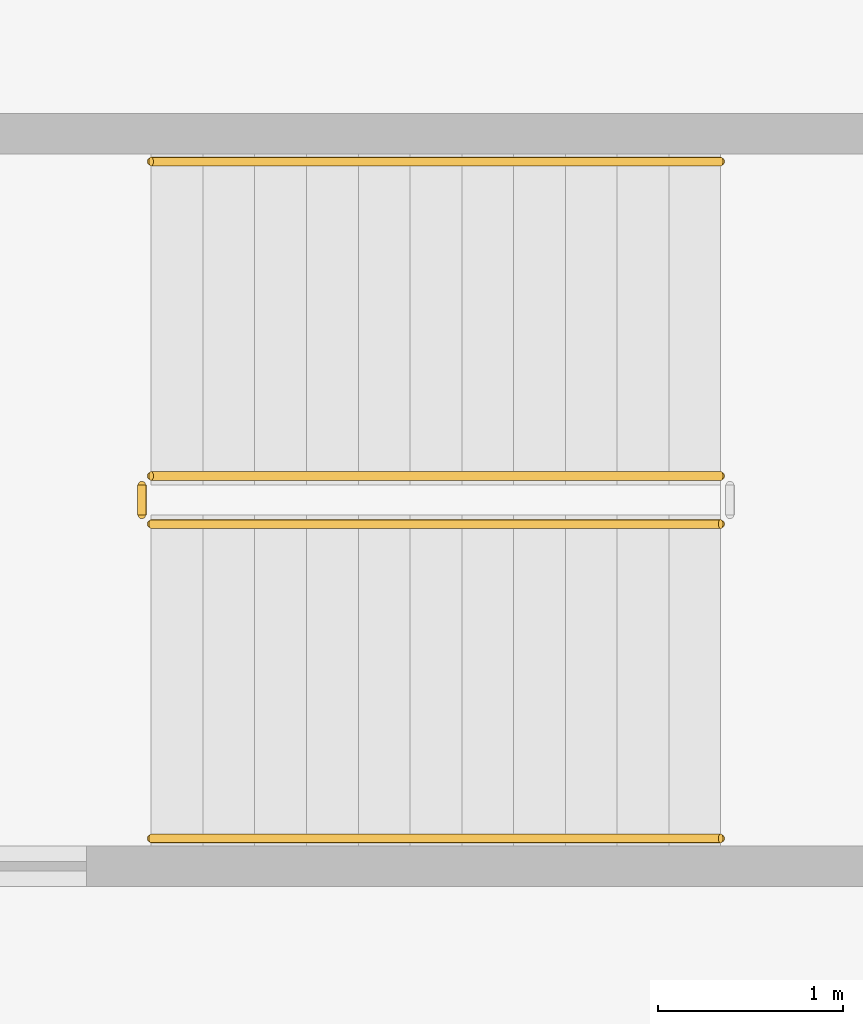
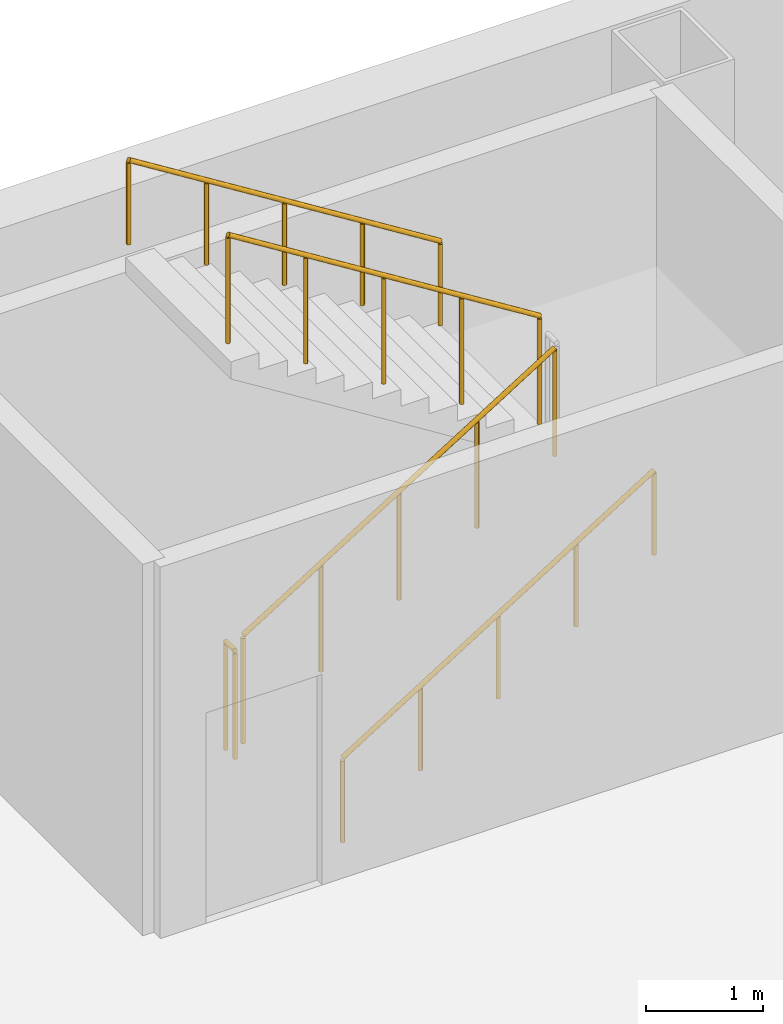
# One storey, part 13 of 16: 5 railings.
"""IFC4 building model written with IfcOpenShell, lengths in metres."""

import ifcopenshell
import ifcopenshell.guid

model = None  # the IFC model being written
_history = None  # IfcOwnerHistory: only IFC2X3 demands one
_inside = {}  # id of a spatial element -> (the spatial element, [elements in it])
_under = {}  # id of a project, library or spatial element -> (it, [spatial elements below it])
_declared = {}  # id of a project -> (the project, [libraries it declares])
_typed = {}  # id of a type object -> (the type object, [elements of that type])
_made_of = {}  # id of a material, layer set ... -> (it, [elements and type objects made of it])


def new_model(schema):
    """Start an empty IFC model of exactly this schema.

    Asked for "IFC4X3", IfcOpenShell would pick the latest addendum, in which some entities
    have other attributes; the version numbers below select the first issue.
    IFC2X3 requires an IfcOwnerHistory on every rooted entity: one is made here for all.
    """
    global model, _history
    if schema == "IFC4X3":
        model = ifcopenshell.file(schema_version=(4, 3, 0, 0))
    else:
        model = ifcopenshell.file(schema=schema)
    _inside.clear()
    _under.clear()
    _declared.clear()
    _typed.clear()
    _made_of.clear()
    _history = None
    if model.schema == "IFC2X3":
        org = make("IfcOrganization", Name="unknown")
        user = make(
            "IfcPersonAndOrganization",
            ThePerson=make("IfcPerson", FamilyName="unknown"),
            TheOrganization=org,
        )
        app = make(
            "IfcApplication",
            ApplicationDeveloper=org,
            Version="unknown",
            ApplicationFullName="unknown",
            ApplicationIdentifier="unknown",
        )
        _history = make(
            "IfcOwnerHistory",
            OwningUser=user,
            OwningApplication=app,
            ChangeAction="ADDED",
            CreationDate=0,
        )
    return model


def make(cls, **values):
    """One entity of the class cls with the attributes given. An attribute that is None is left unset."""
    return model.create_entity(
        cls, **{name: value for name, value in values.items() if value is not None}
    )


def rooted(cls, **values):
    """An entity with a GlobalId (a new one), such as an element, a storey or a relation."""
    return make(cls, GlobalId=ifcopenshell.guid.new(), OwnerHistory=_history, **values)


def si_unit(unit_type, name, prefix=None):
    """IfcSIUnit, for example si_unit("LENGTHUNIT", "METRE", prefix="MILLI")."""
    return make("IfcSIUnit", UnitType=unit_type, Prefix=prefix, Name=name)


def assignment(units):
    """IfcUnitAssignment: the units of a project."""
    return None if units is None else make("IfcUnitAssignment", Units=units)


def point(xyz):
    """IfcCartesianPoint."""
    return None if xyz is None else make("IfcCartesianPoint", Coordinates=xyz)


def direction(xyz):
    """IfcDirection."""
    return None if xyz is None else make("IfcDirection", DirectionRatios=xyz)


def frame(location, z_axis=None, x_axis=None):
    """IfcAxis2Placement3D, a coordinate frame: its origin and axes. An axis left out is left unset."""
    return make(
        "IfcAxis2Placement3D",
        Location=point(location),
        Axis=direction(z_axis),
        RefDirection=direction(x_axis),
    )


def frame_2d(location, x_axis=None):
    """IfcAxis2Placement2D, a coordinate frame in the plane: its origin and x axis."""
    return make(
        "IfcAxis2Placement2D", Location=point(location), RefDirection=direction(x_axis)
    )


def origin():
    """The frame at (0, 0, 0) with its axes left unset."""
    return frame((0.0, 0.0, 0.0))


def origin_2d():
    """The frame at (0, 0) in the plane with its x axis left unset."""
    return frame_2d((0.0, 0.0))


def place(relative_to, where):
    """IfcLocalPlacement: puts the frame where relative to a parent placement (None: the world)."""
    return make(
        "IfcLocalPlacement", PlacementRelTo=relative_to, RelativePlacement=where
    )


def context(
    kind, dimensions, precision=None, world=None, true_north=None, identifier=None
):
    """IfcGeometricRepresentationContext, for example the 3D "Model" context."""
    return make(
        "IfcGeometricRepresentationContext",
        ContextIdentifier=identifier,
        ContextType=kind,
        CoordinateSpaceDimension=dimensions,
        Precision=precision,
        WorldCoordinateSystem=world,
        TrueNorth=true_north,
    )


def subcontext(parent, identifier, kind, view, scale=None):
    """IfcGeometricRepresentationSubContext, for example "Body" below "Model"."""
    return make(
        "IfcGeometricRepresentationSubContext",
        ContextIdentifier=identifier,
        ContextType=kind,
        ParentContext=parent,
        TargetScale=scale,
        TargetView=view,
    )


def project(units=None, contexts=None):
    """IfcProject with its units and contexts."""
    return rooted(
        "IfcProject",
        Name="project",
        RepresentationContexts=contexts,
        UnitsInContext=assignment(units),
    )


def spatial(cls, under=None, at=None, **own):
    """A site, building, storey or space (cls), placed at a placement, below another one or the project."""
    s = rooted(cls, ObjectPlacement=at, **own)
    if under is not None:
        _under.setdefault(under.id(), (under, []))[1].append(s)
    return s


def profile(cls, at=None, kind="AREA", **sizes):
    """A parametric profile (cls). Its sizes go by their IFC names, for example OverallWidth=200.0."""
    return make(cls, ProfileType=kind, Position=at, **sizes)


def circle(**sizes):
    """IfcCircleProfileDef."""
    return profile("IfcCircleProfileDef", **sizes)


def extrude(swept, where, along, depth):
    """IfcExtrudedAreaSolid: the profile swept, set in the frame where, extruded along a direction by depth."""
    return make(
        "IfcExtrudedAreaSolid",
        SweptArea=swept,
        Position=where,
        ExtrudedDirection=direction(along),
        Depth=depth,
    )


def shape(context_of_items, identifier, shape_type, items):
    """IfcShapeRepresentation: the items that make up one representation, for example the "Body"."""
    return make(
        "IfcShapeRepresentation",
        ContextOfItems=context_of_items,
        RepresentationIdentifier=identifier,
        RepresentationType=shape_type,
        Items=items,
    )


def material(Name=None, Category=None):
    """IfcMaterial."""
    return make("IfcMaterial", Name=Name, Category=Category)


def made_of(thing, what):
    """Note that an element or type object is made of a material, layer set ...; save() writes the relation."""
    if what is not None:
        _made_of.setdefault(what.id(), (what, []))[1].append(thing)
    return thing


def type_object(cls, material=None, **own):
    """A type object (cls), such as IfcWallType, which elements share."""
    return made_of(rooted(cls, **own), material)


def element(
    cls,
    number,
    at=None,
    inside=None,
    cuts=None,
    type_object=None,
    material=None,
    context=None,
    identifier="Body",
    shape_type=None,
    held_by="IfcProductDefinitionShape",
    body=None,
    shapes=None,
    **own,
):
    """One element of the class cls, such as IfcWall. Its Tag is "e" and its number.

    at: its placement. inside: the storey or other place that contains it. cuts: it is an
    opening in that element (IfcRelVoidsElement). A single representation is given by context,
    identifier, shape_type and body (its items); several are given by shapes. held_by: the class
    of the entity that holds the representations. save() writes the other relations.
    """
    e = rooted(cls, Tag="e%d" % number, ObjectPlacement=at, **own)
    if body is not None:
        shapes = [shape(context, identifier, shape_type, body)]
    if shapes is not None:
        e.Representation = make(held_by, Representations=shapes)
    if inside is not None:
        _inside.setdefault(inside.id(), (inside, []))[1].append(e)
    if cuts is not None:
        rooted(
            "IfcRelVoidsElement", RelatingBuildingElement=cuts, RelatedOpeningElement=e
        )
    if type_object is not None:
        _typed.setdefault(type_object.id(), (type_object, []))[1].append(e)
    return made_of(e, material)


def aggregate(whole, parts):
    """IfcRelAggregates: a whole, such as a stair, and the parts it consists of."""
    return rooted("IfcRelAggregates", RelatingObject=whole, RelatedObjects=parts)


def save(model, path):
    """Write the relations noted so far, then the file.

    IfcRelAggregates (storeys below a building ...), IfcRelContainedInSpatialStructure (elements
    in a storey), IfcRelDefinesByType, IfcRelAssociatesMaterial and IfcRelDeclares: one each for
    every whole, place, type object, material and project.
    """
    for whole, parts in _under.values():
        aggregate(whole, parts)
    for where, things in _inside.values():
        rooted(
            "IfcRelContainedInSpatialStructure",
            RelatedElements=things,
            RelatingStructure=where,
        )
    for kind, things in _typed.values():
        rooted("IfcRelDefinesByType", RelatedObjects=things, RelatingType=kind)
    for what, things in _made_of.values():
        rooted("IfcRelAssociatesMaterial", RelatedObjects=things, RelatingMaterial=what)
    for by, libraries in _declared.values():
        rooted("IfcRelDeclares", RelatingContext=by, RelatedDefinitions=libraries)
    model.write(path)


model = new_model("IFC4")

# Units and contexts
model_context = context("Model", 3, precision=1e-05, world=origin(), true_north=direction((0.0, 1.0)))
body_context = subcontext(model_context, "Body", "Model", "MODEL_VIEW")
ifc_project = project(units=[si_unit("LENGTHUNIT", "METRE"), si_unit("AREAUNIT", "SQUARE_METRE"), si_unit("VOLUMEUNIT", "CUBIC_METRE"), si_unit("PLANEANGLEUNIT", "RADIAN"), si_unit("MASSUNIT", "GRAM", prefix="KILO")], contexts=[model_context])

# Site, building, storey
site_placement = place(None, origin())
site = spatial("IfcSite", under=ifc_project, at=site_placement, CompositionType="ELEMENT")
building_placement = place(site_placement, origin())
building = spatial("IfcBuilding", under=site, at=building_placement, Name="Kolveth Station Tower", CompositionType="ELEMENT")
storey_placement = place(building_placement, frame((0.0, 0.0, -8.39990234375)))
storey = spatial("IfcBuildingStorey", under=building, at=storey_placement, Name="B2", CompositionType="ELEMENT", Elevation=-8.39990234375)

# Railings
ifc_material_1 = material(Name="Painted Steel S355 balustrade", Category="steel")
railing_type_1 = type_object("IfcRailingType", Name="Guard_GR2", PredefinedType="BALUSTRADE", material=ifc_material_1)
railing_1_placement = place(storey_placement, frame((57.75, 37.14990234375, 0.1748046875)))
element("IfcRailing", 1, at=railing_1_placement, inside=storey, type_object=railing_type_1, Name="B2 ST3 stair guard 1", PredefinedType="BALUSTRADE", context=body_context, shape_type="SweptSolid", body=[
    extrude(circle(Radius=0.02392578125, at=origin_2d()), frame((0.0, 0.0, 1.1259765625), z_axis=(0.847998304005, 0.0, 0.529998940003), x_axis=(0.0, 1.0, 0.0)), (0.0, 0.0, 1.0), 3.632080078125),
    extrude(circle(Radius=0.02099609375, at=origin_2d()), origin(), (0.0, 0.0, 1.0), 1.101806640625),
    extrude(circle(Radius=0.02099609375, at=origin_2d()), frame((0.77001953125, 0.0, 0.481201171875)), (0.0, 0.0, 1.0), 1.101806640625),
    extrude(circle(Radius=0.02099609375, at=origin_2d()), frame((1.5400390625, 0.0, 0.96240234375)), (0.0, 0.0, 1.0), 1.101806640625),
    extrude(circle(Radius=0.02099609375, at=origin_2d()), frame((2.31005859375, 0.0, 1.44384765625)), (0.0, 0.0, 1.0), 1.101806640625),
    extrude(circle(Radius=0.02099609375, at=origin_2d()), frame((3.080078125, 0.0, 1.925048828125)), (0.0, 0.0, 1.0), 1.101806640625),
])
railing_2_placement = place(storey_placement, frame((60.830078125, 37.409912109375, 2.27490234375)))
element("IfcRailing", 2, at=railing_2_placement, inside=storey, type_object=railing_type_1, Name="B2 ST3 stair guard 3", PredefinedType="BALUSTRADE", context=body_context, shape_type="SweptSolid", body=[
    extrude(circle(Radius=0.02392578125, at=origin_2d()), frame((0.0, 0.0, 1.1259765625), z_axis=(-0.847998304005, 0.0, 0.529998940003), x_axis=(0.0, -1.0, 0.0)), (0.0, 0.0, 1.0), 3.632080078125),
    extrude(circle(Radius=0.02099609375, at=origin_2d()), origin(), (0.0, 0.0, 1.0), 1.101806640625),
    extrude(circle(Radius=0.02099609375, at=origin_2d()), frame((-0.77001953125, 0.0, 0.481201171875)), (0.0, 0.0, 1.0), 1.101806640625),
    extrude(circle(Radius=0.02099609375, at=origin_2d()), frame((-1.5400390625, 0.0, 0.96240234375)), (0.0, 0.0, 1.0), 1.101806640625),
    extrude(circle(Radius=0.02099609375, at=origin_2d()), frame((-2.31005859375, 0.0, 1.44384765625)), (0.0, 0.0, 1.0), 1.101806640625),
    extrude(circle(Radius=0.02099609375, at=origin_2d()), frame((-3.080078125, 0.0, 1.925048828125)), (0.0, 0.0, 1.0), 1.101806640625),
])
railing_3_placement = place(storey_placement, frame((57.699951171875, 37.199951171875, 0.0)))
element("IfcRailing", 3, at=railing_3_placement, inside=storey, type_object=railing_type_1, Name="B2 ST3 stair guard 4", PredefinedType="BALUSTRADE", context=body_context, shape_type="SweptSolid", body=[
    extrude(circle(Radius=0.02392578125, at=origin_2d()), frame((0.0, 0.0, 1.1259765625), z_axis=(0.0, 1.0, 0.0), x_axis=(-1.0, 0.0, 0.0)), (0.0, 0.0, 1.0), 0.16015625),
    extrude(circle(Radius=0.02099609375, at=origin_2d()), origin(), (0.0, 0.0, 1.0), 1.101806640625),
    extrude(circle(Radius=0.02099609375, at=origin_2d()), frame((0.0, 0.16015625, 0.0)), (0.0, 0.0, 1.0), 1.101806640625),
])
ifc_material_2 = material(Name="Brushed stainless steel", Category="steel")
railing_type_2 = type_object("IfcRailingType", Name="Handrail_HR1", PredefinedType="HANDRAIL", material=ifc_material_2)
railing_4_placement = place(storey_placement, frame((57.75, 35.449951171875, 0.1748046875)))
element("IfcRailing", 4, at=railing_4_placement, inside=storey, type_object=railing_type_2, Name="B2 ST3 stair handrail 1", PredefinedType="HANDRAIL", context=body_context, shape_type="SweptSolid", body=[
    extrude(circle(Radius=0.02392578125, at=origin_2d()), frame((0.0, 0.0, 0.8759765625), z_axis=(0.847998304005, 0.0, 0.529998940003), x_axis=(0.0, 1.0, 0.0)), (0.0, 0.0, 1.0), 3.632080078125),
    extrude(circle(Radius=0.02099609375, at=origin_2d()), origin(), (0.0, 0.0, 1.0), 0.851806640625),
    extrude(circle(Radius=0.02099609375, at=origin_2d()), frame((0.77001953125, 0.0, 0.481201171875)), (0.0, 0.0, 1.0), 0.851806640625),
    extrude(circle(Radius=0.02099609375, at=origin_2d()), frame((1.5400390625, 0.0, 0.96240234375)), (0.0, 0.0, 1.0), 0.851806640625),
    extrude(circle(Radius=0.02099609375, at=origin_2d()), frame((2.31005859375, 0.0, 1.44384765625)), (0.0, 0.0, 1.0), 0.851806640625),
    extrude(circle(Radius=0.02099609375, at=origin_2d()), frame((3.080078125, 0.0, 1.925048828125)), (0.0, 0.0, 1.0), 0.851806640625),
])
railing_5_placement = place(storey_placement, frame((60.830078125, 39.110107421875, 2.27490234375)))
element("IfcRailing", 5, at=railing_5_placement, inside=storey, type_object=railing_type_2, Name="B2 ST3 stair handrail 2", PredefinedType="HANDRAIL", context=body_context, shape_type="SweptSolid", body=[
    extrude(circle(Radius=0.02392578125, at=origin_2d()), frame((0.0, 0.0, 0.8759765625), z_axis=(-0.847998304005, 0.0, 0.529998940003), x_axis=(0.0, -1.0, 0.0)), (0.0, 0.0, 1.0), 3.632080078125),
    extrude(circle(Radius=0.02099609375, at=origin_2d()), origin(), (0.0, 0.0, 1.0), 0.851806640625),
    extrude(circle(Radius=0.02099609375, at=origin_2d()), frame((-0.77001953125, 0.0, 0.481201171875)), (0.0, 0.0, 1.0), 0.851806640625),
    extrude(circle(Radius=0.02099609375, at=origin_2d()), frame((-1.5400390625, 0.0, 0.96240234375)), (0.0, 0.0, 1.0), 0.851806640625),
    extrude(circle(Radius=0.02099609375, at=origin_2d()), frame((-2.31005859375, 0.0, 1.44384765625)), (0.0, 0.0, 1.0), 0.851806640625),
    extrude(circle(Radius=0.02099609375, at=origin_2d()), frame((-3.080078125, 0.0, 1.925048828125)), (0.0, 0.0, 1.0), 0.851806640625),
])

save(model, "model.ifc")
